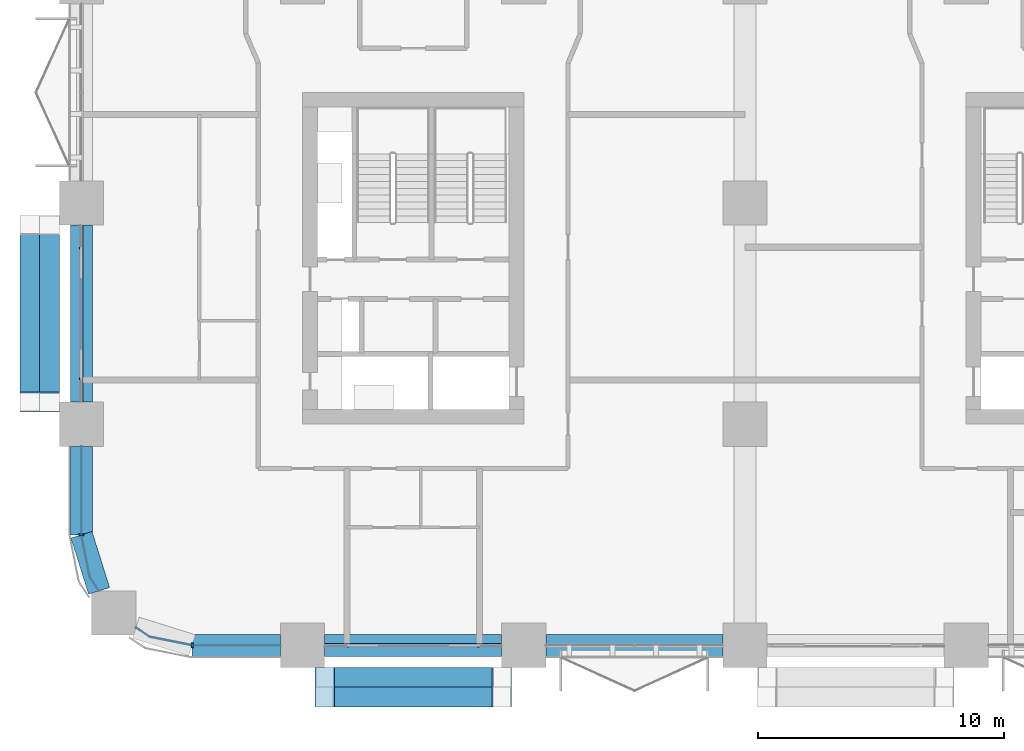
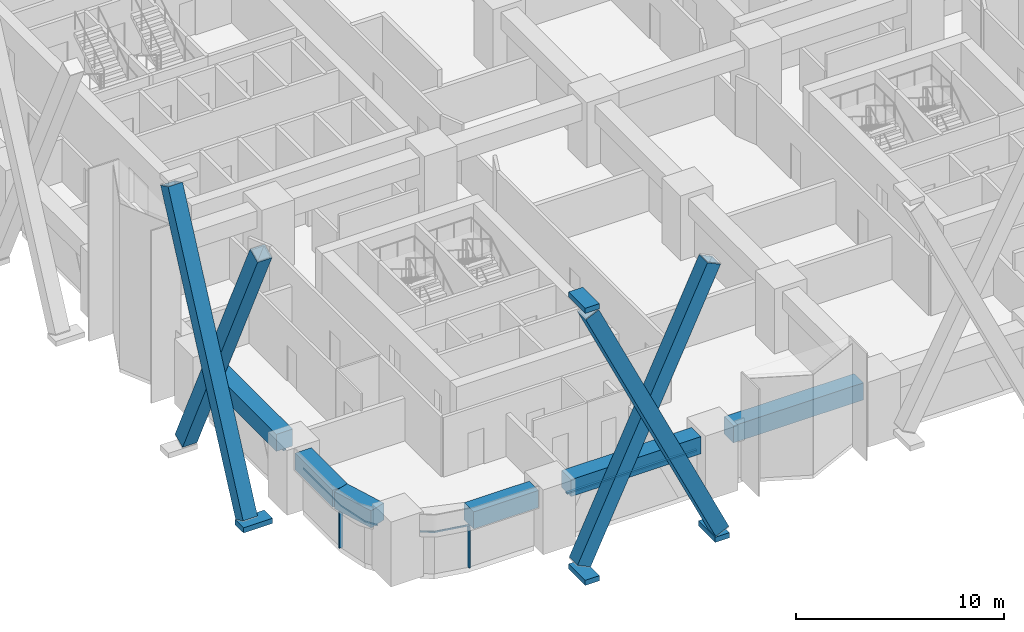
# One storey, part 2 of 26: 14 members, 6 beams, 4 elements without a shape of their own.
"""IFC4 building model written with IfcOpenShell, lengths in metres."""

from ifc_helpers import new_model, si_unit, direction, frame, origin, origin_2d, place, context, subcontext, project, spatial, polyline, rectangle, hollow_rectangle, outline, extrude, material, layer, layer_set, material_profile, profile_set, type_object, element, aggregate, save


model = new_model("IFC4")

# Units and contexts
model_context = context("Model", 3, precision=1e-05, world=origin(), true_north=direction((0.0, 1.0)))
body_context = subcontext(model_context, "Body", "Model", "MODEL_VIEW")
ifc_project = project(units=[si_unit("LENGTHUNIT", "METRE"), si_unit("AREAUNIT", "SQUARE_METRE"), si_unit("VOLUMEUNIT", "CUBIC_METRE"), si_unit("PLANEANGLEUNIT", "RADIAN"), si_unit("MASSUNIT", "GRAM", prefix="KILO")], contexts=[model_context])

# Site, building, storey
site_placement = place(None, origin())
site = spatial("IfcSite", under=ifc_project, at=site_placement, CompositionType="ELEMENT")
building_placement = place(site_placement, origin())
building = spatial("IfcBuilding", under=site, at=building_placement, Name="Tessera Arch", CompositionType="ELEMENT")
storey_placement = place(building_placement, frame((0.0, 0.0, 31.0)))
storey = spatial("IfcBuildingStorey", under=building, at=storey_placement, Name="L05", CompositionType="ELEMENT", Elevation=31.0)

# Members
ifc_material_1 = material(Name="Steel A572 Gr50", Category="steel")
ifc_material_profile_1 = material_profile(ifc_material_1, hollow_rectangle(XDim=0.800048828125, YDim=0.800048828125, WallThickness=0.06005859375, at=origin_2d()), Name="BOX 800x800x60")
ifc_profile_set_1 = profile_set([ifc_material_profile_1], Name="Steel A572 Gr50")
member_type_1 = type_object("IfcMemberType", Name="Brace BOX 800x800x60 Steel A572 Gr50", PredefinedType="BRACE", material=ifc_profile_set_1)
for number, where, z_axis, x_axis, name in (
    (1, (9.89990234375, -1.300048828125, -0.800048828125), (0.428096952335, 0.0, 0.903732814167), (0.0, 1.0, 0.0), "Brace S0.0-0 A L05-L08"),
    (2, (17.10009765625, -2.10009765625, -0.800048828125), (-0.428096952335, 0.0, 0.903732814167), (0.0, -1.0, 0.0), "Brace S0.0-0 B L05-L08"),
    (3, (-1.300048828125, 17.10009765625, -0.800048828125), (0.0, -0.428096952335, 0.903732814167), (1.0, 0.0, 0.0), "Brace W0.0-4 A L05-L08"),
    (4, (-2.10009765625, 9.89990234375, -0.800048828125), (0.0, 0.428096952335, 0.903732814167), (-1.0, 0.0, 0.0), "Brace W0.0-4 B L05-L08"),
):
    element("IfcMember", number, at=place(storey_placement, frame(where, z_axis=z_axis, x_axis=x_axis)), inside=storey, type_object=member_type_1, Name=name, PredefinedType="BRACE", context=body_context, shape_type="SweptSolid", body=[
        extrude(hollow_rectangle(XDim=0.800048828125, YDim=0.800048828125, WallThickness=0.06005859375, at=origin_2d()), origin(), (0.0, 0.0, 1.0), 16.819091796875),
    ])

# Curtain wall, member
ifc_material_2 = material(Name="CW2 curtain wall")
curtain_wall_type_1 = type_object("IfcCurtainWallType", Name="CW2 curtain wall", PredefinedType="NOTDEFINED", material=ifc_material_2)
curtain_wall_1_placement = place(storey_placement, origin())
curtain_wall_1 = element("IfcCurtainWall", 5, at=curtain_wall_1_placement, inside=storey, type_object=curtain_wall_type_1, Name="CW2 curtain wall W0.0/5 L05", PredefinedType="NOTDEFINED")
ifc_material_3 = material(Name="Anodised aluminium pale metal", Category="aluminium")
ifc_material_profile_2 = material_profile(ifc_material_3, rectangle(XDim=0.199951171875, YDim=0.080078125, at=origin_2d()), Name="AL 80x200")
ifc_profile_set_2 = profile_set([ifc_material_profile_2], Name="Anodised aluminium pale metal")
member_type_2 = type_object("IfcMemberType", Name="CW2 mullion", PredefinedType="MULLION", material=ifc_profile_set_2)
member_1_placement = place(storey_placement, frame((0.0, 4.5, 0.0), z_axis=(0.0, 0.0, 1.0), x_axis=(1.0, 0.0, 0.0)))
member_1 = element("IfcMember", 6, at=member_1_placement, type_object=member_type_2, Name="CW2 mullion W0.0/5 1", PredefinedType="MULLION", context=body_context, shape_type="SweptSolid", body=[
    extrude(rectangle(XDim=0.199951171875, YDim=0.080078125, at=origin_2d()), origin(), (0.0, 0.0, 1.0), 2.39990234375),
])

curtain_wall_2_placement = place(storey_placement, origin())
curtain_wall_2 = element("IfcCurtainWall", 7, at=curtain_wall_2_placement, inside=storey, type_object=curtain_wall_type_1, Name="CW2 curtain wall S0.0/5 L05", PredefinedType="NOTDEFINED")
member_2_placement = place(storey_placement, frame((4.5, 0.0, 0.0), z_axis=(0.0, 0.0, 1.0), x_axis=(0.0, 1.0, 0.0)))
member_2 = element("IfcMember", 8, at=member_2_placement, type_object=member_type_2, Name="CW2 mullion S0.0/5 1", PredefinedType="MULLION", context=body_context, shape_type="SweptSolid", body=[
    extrude(rectangle(XDim=0.199951171875, YDim=0.080078125, at=origin_2d()), origin(), (0.0, 0.0, 1.0), 2.39990234375),
])

# Member
ifc_material_4 = material(Name="Anodised aluminium pale metal", Category="aluminium")
ifc_material_profile_3 = material_profile(ifc_material_4, rectangle(XDim=0.199951171875, YDim=0.10009765625, at=origin_2d()), Name="AL 200x100")
ifc_profile_set_3 = profile_set([ifc_material_profile_3], Name="Anodised aluminium pale metal")
member_type_3 = type_object("IfcMemberType", Name="CW2 transom", PredefinedType="USERDEFINED", material=ifc_profile_set_3)
member_3_placement = place(storey_placement, frame((0.0, 0.0, 2.39990234375)))
member_3 = element("IfcMember", 9, at=member_3_placement, type_object=member_type_3, Name="CW2 transom W0.0/5 1", ObjectType="TRANSOM", PredefinedType="USERDEFINED", context=body_context, shape_type="SweptSolid", body=[
    extrude(outline(polyline([(0.010009765625, 4.5009765625), (0.010009765625, 8.10009765625), (-0.010009765625, 8.10009765625), (-0.010009765625, 4.4990234375), (0.3330078125, 2.77392578125), (0.70849609375, 2.21240234375), (0.72509765625, 2.2236328125), (0.351806640625, 2.78173828125), (0.010009765625, 4.5009765625)])), origin(), (0.0, 0.0, 1.0), 0.10009765625),
])

aggregate(curtain_wall_1, [member_1, member_3])

member_4_placement = place(storey_placement, frame((0.0, 0.0, 2.39990234375)))
member_4 = element("IfcMember", 10, at=member_4_placement, type_object=member_type_3, Name="CW2 transom S0.0/5 1", ObjectType="TRANSOM", PredefinedType="USERDEFINED", context=body_context, shape_type="SweptSolid", body=[
    extrude(outline(polyline([(2.78173828125, 0.351806640625), (2.2236328125, 0.72509765625), (2.21240234375, 0.70849609375), (2.77392578125, 0.3330078125), (4.4990234375, -0.010009765625), (8.10009765625, -0.010009765625), (8.10009765625, 0.010009765625), (4.5009765625, 0.010009765625), (2.78173828125, 0.351806640625)])), origin(), (0.0, 0.0, 1.0), 0.10009765625),
])

aggregate(curtain_wall_2, [member_2, member_4])

# Curtain wall, member
ifc_material_5 = material(Name="CW3 curtain wall")
curtain_wall_type_2 = type_object("IfcCurtainWallType", Name="CW3 curtain wall", PredefinedType="NOTDEFINED", material=ifc_material_5)
curtain_wall_3_placement = place(storey_placement, origin())
curtain_wall_3 = element("IfcCurtainWall", 11, at=curtain_wall_3_placement, inside=storey, type_object=curtain_wall_type_2, Name="CW3 curtain wall S0.0/0 L05", PredefinedType="NOTDEFINED")
ifc_material_6 = material(Name="Anodised aluminium pale metal", Category="aluminium")
ifc_material_profile_4 = material_profile(ifc_material_6, rectangle(XDim=0.139892578125, YDim=0.10009765625, at=origin_2d()), Name="AL 140x100")
ifc_profile_set_4 = profile_set([ifc_material_profile_4], Name="Anodised aluminium pale metal")
member_type_4 = type_object("IfcMemberType", Name="CW3 transom", PredefinedType="USERDEFINED", material=ifc_profile_set_4)
member_5_placement = place(storey_placement, frame((9.89990234375, 0.0, 2.449951171875), z_axis=(1.0, 0.0, 0.0), x_axis=(0.0, 1.0, 0.0)))
member_5 = element("IfcMember", 12, at=member_5_placement, type_object=member_type_4, Name="CW3 transom S0.0/0 1.1", ObjectType="TRANSOM", PredefinedType="USERDEFINED", context=body_context, shape_type="SweptSolid", body=[
    extrude(rectangle(XDim=0.139892578125, YDim=0.10009765625, at=origin_2d()), origin(), (0.0, 0.0, 1.0), 7.2001953125),
])
aggregate(curtain_wall_3, [member_5])

curtain_wall_4_placement = place(storey_placement, origin())
curtain_wall_4 = element("IfcCurtainWall", 13, at=curtain_wall_4_placement, inside=storey, type_object=curtain_wall_type_2, Name="CW3 curtain wall W0.0/4 L05", PredefinedType="NOTDEFINED")
member_6_placement = place(storey_placement, frame((0.0, 17.10009765625, 2.449951171875), z_axis=(0.0, -1.0, 0.0), x_axis=(1.0, 0.0, 0.0)))
member_6 = element("IfcMember", 14, at=member_6_placement, type_object=member_type_4, Name="CW3 transom W0.0/4 1.1", ObjectType="TRANSOM", PredefinedType="USERDEFINED", context=body_context, shape_type="SweptSolid", body=[
    extrude(rectangle(XDim=0.139892578125, YDim=0.10009765625, at=origin_2d()), origin(), (0.0, 0.0, 1.0), 7.2001953125),
])
aggregate(curtain_wall_4, [member_6])

# Members
ifc_material_7 = material(Name="Steel A572 Gr50", Category="steel")
ifc_layer = layer(ifc_material_7, 0.050048828125)
ifc_layer_set = layer_set([ifc_layer], Name="Node block Steel A572 Gr50")
member_type_5 = type_object("IfcMemberType", Name="Node block Steel A572 Gr50", PredefinedType="PLATE", material=ifc_layer_set)
for number, where, z_axis, x_axis, name in (
    (15, (17.10009765625, -1.699951171875, -1.31640625), (0.0, 0.0, 1.0), (1.0, 0.0, 0.0), "Node block seat S0.0-0 1 L05"),
    (16, (9.89990234375, -1.699951171875, -1.31640625), (0.0, 0.0, 1.0), (1.0, 0.0, 0.0), "Node block seat S0.0-0 2 L05"),
    (17, (9.89990234375, -1.699951171875, 14.6162109375), (0.0, 0.0, 1.0), (1.0, 0.0, 0.0), "Node block head S0.0-0 B L05"),
    (18, (-1.699951171875, 9.89990234375, -1.31640625), (0.0, 0.0, 1.0), (0.0, -1.0, 0.0), "Node block seat W0.0-4 1 L05"),
):
    element("IfcMember", number, at=place(storey_placement, frame(where, z_axis=z_axis, x_axis=x_axis)), inside=storey, type_object=member_type_5, Name=name, PredefinedType="PLATE", context=body_context, shape_type="SweptSolid", body=[
        extrude(rectangle(XDim=0.800048828125, YDim=1.60009765625, at=origin_2d()), origin(), (0.0, 0.0, 1.0), 0.300048828125),
    ])

# Beams
ifc_material_8 = material(Name="Concrete C80/95", Category="concrete")
ifc_material_profile_5 = material_profile(ifc_material_8, rectangle(XDim=0.89990234375, YDim=1.0, at=origin_2d()), Name="RC spandrel beam 900 x 1000 Concrete C80/95")
ifc_profile_set_5 = profile_set([ifc_material_profile_5], Name="Concrete C80/95")
beam_type = type_object("IfcBeamType", Name="RC spandrel beam 900 x 1000 Concrete C80/95", PredefinedType="BEAM", material=ifc_profile_set_5)
for number, where, z_axis, x_axis, name in (
    (19, (9.89990234375, 0.0, 3.0), (1.0, 0.0, 0.0), (0.0, 1.0, 0.0), "Spandrel beam L05 S0.0/0"),
    (20, (18.89990234375, 0.0, 3.0), (1.0, 0.0, 0.0), (0.0, 1.0, 0.0), "Spandrel beam L05 S0.0/1"),
    (21, (0.0, 17.10009765625, 3.0), (0.0, -1.0, 0.0), (1.0, 0.0, 0.0), "Spandrel beam L05 W0.0/4"),
):
    element("IfcBeam", number, at=place(storey_placement, frame(where, z_axis=z_axis, x_axis=x_axis)), inside=storey, type_object=beam_type, Name=name, PredefinedType="BEAM", context=body_context, shape_type="SweptSolid", body=[
        extrude(rectangle(XDim=0.89990234375, YDim=1.0, at=origin_2d()), origin(), (0.0, 0.0, 1.0), 7.2001953125),
    ])
beam_1_placement = place(storey_placement, frame((0.0, 8.10009765625, 3.0), z_axis=(0.0, -1.0, 0.0), x_axis=(1.0, 0.0, 0.0)))
element("IfcBeam", 22, at=beam_1_placement, inside=storey, type_object=beam_type, Name="Spandrel beam L05 W0.0/5.1", PredefinedType="BEAM", context=body_context, shape_type="SweptSolid", body=[
    extrude(rectangle(XDim=0.89990234375, YDim=1.0, at=origin_2d()), origin(), (0.0, 0.0, 1.0), 3.60009765625),
])
beam_2_placement = place(storey_placement, frame((0.0, 4.5, 3.0), z_axis=(0.299675309057, -0.954041251279, 0.0), x_axis=(0.954041251279, 0.299675309057, 0.0)))
element("IfcBeam", 23, at=beam_2_placement, inside=storey, type_object=beam_type, Name="Spandrel beam L05 W0.0/5.2", PredefinedType="BEAM", context=body_context, shape_type="SweptSolid", body=[
    extrude(rectangle(XDim=0.89990234375, YDim=1.0, at=origin_2d()), origin(), (0.0, 0.0, 1.0), 2.391845703125),
])
beam_3_placement = place(storey_placement, frame((4.5, 0.0, 3.0), z_axis=(1.0, 0.0, 0.0), x_axis=(0.0, 1.0, 0.0)))
element("IfcBeam", 24, at=beam_3_placement, inside=storey, type_object=beam_type, Name="Spandrel beam L05 S0.0/5.2", PredefinedType="BEAM", context=body_context, shape_type="SweptSolid", body=[
    extrude(rectangle(XDim=0.89990234375, YDim=1.0, at=origin_2d()), origin(), (0.0, 0.0, 1.0), 3.60009765625),
])

save(model, "model.ifc")
